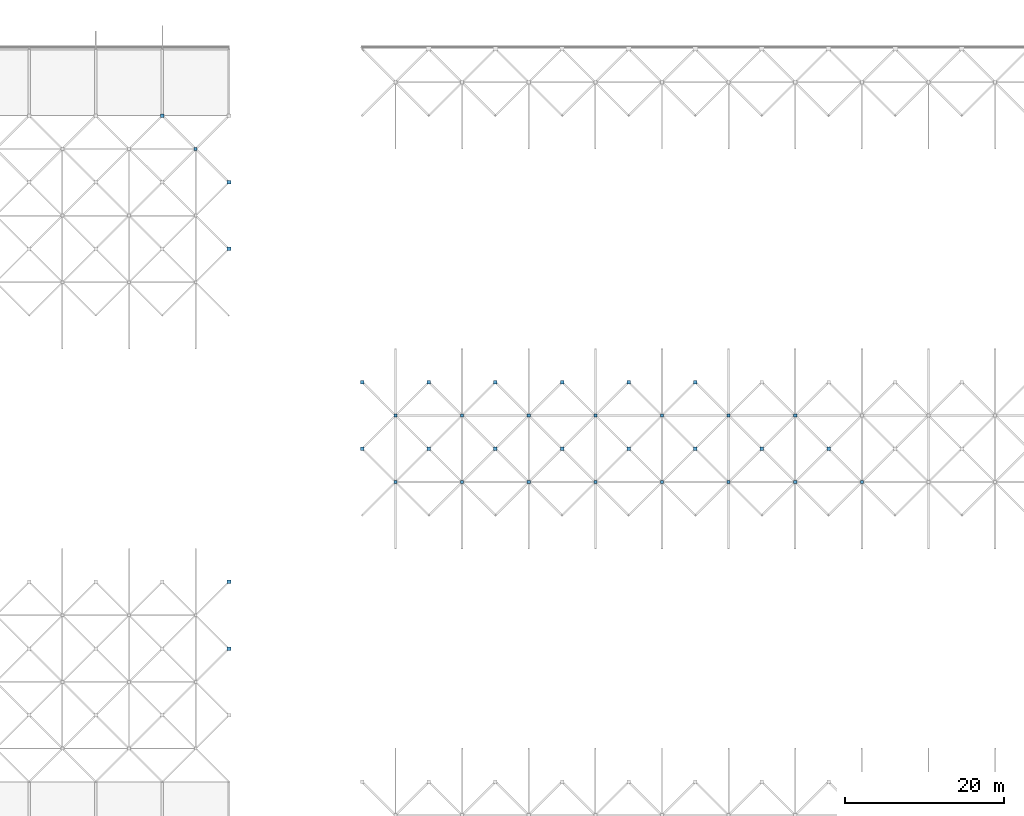
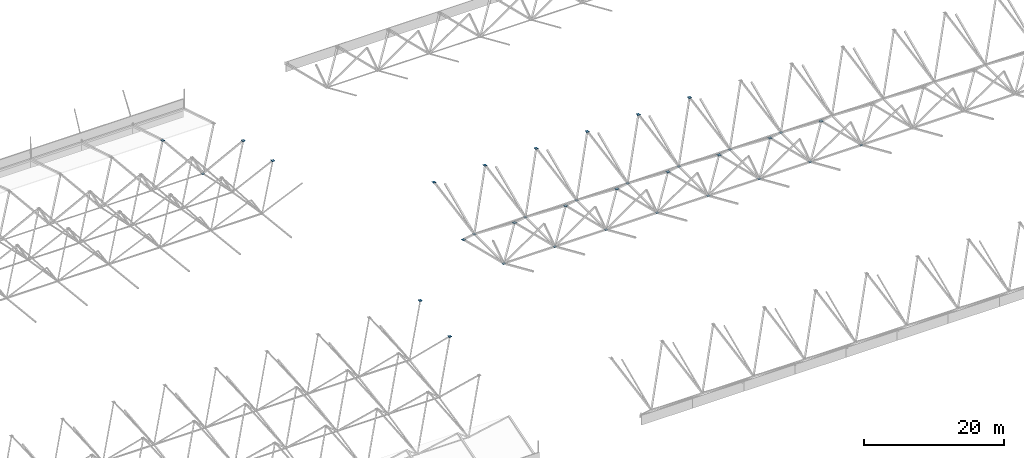
# One storey, part 66 of 85: 35 discrete accessories.
"""IFC4 building model written with IfcOpenShell, lengths in metres."""

from ifc_helpers import new_model, si_unit, direction, frame, origin, origin_2d, place, context, subcontext, project, spatial, rectangle, extrude, material, layer, layer_set, type_object, element, save


model = new_model("IFC4")

# Units and contexts
model_context = context("Model", 3, precision=1e-05, world=origin(), true_north=direction((0.0, 1.0)))
body_context = subcontext(model_context, "Body", "Model", "MODEL_VIEW")
ifc_project = project(units=[si_unit("LENGTHUNIT", "METRE"), si_unit("AREAUNIT", "SQUARE_METRE"), si_unit("VOLUMEUNIT", "CUBIC_METRE"), si_unit("PLANEANGLEUNIT", "RADIAN"), si_unit("MASSUNIT", "GRAM", prefix="KILO")], contexts=[model_context])

# Site, building, storey
site_placement = place(None, origin())
site = spatial("IfcSite", under=ifc_project, at=site_placement, CompositionType="ELEMENT")
building_placement = place(site_placement, origin())
building = spatial("IfcBuilding", under=site, at=building_placement, Name="Rain Tree Exposition and Congress Centre", CompositionType="ELEMENT")
storey_placement = place(building_placement, frame((0.0, 0.0, 15.0)))
storey = spatial("IfcBuildingStorey", under=building, at=storey_placement, Name="L03", CompositionType="ELEMENT", Elevation=15.0)

# Discrete accessories
ifc_material_1 = material(Name="Steel plate S355J2", Category="steel")
ifc_layer_1 = layer(ifc_material_1, 0.02001953125)
ifc_layer_set_1 = layer_set([ifc_layer_1], Name="Steel plate S355J2")
discrete_accessory_type_1 = type_object("IfcDiscreteAccessoryType", Name="Brace node plate 400x400x20", PredefinedType="BRACKET", material=ifc_layer_set_1)
for number, where, z_axis, x_axis, name in (
    (1, (121.800048828125, 189.0, 0.72265625), (0.0, 0.0, 1.0), (1.0, 0.0, 0.0), "Brace node plate 400"),
    (2, (147.0, 147.0, 1.762939453125), (0.0, 0.0, 1.0), (1.0, 0.0, 0.0), "Brace node plate 400"),
    (3, (155.39990234375, 147.0, 1.762939453125), (0.0, 0.0, 1.0), (1.0, 0.0, 0.0), "Brace node plate 400"),
    (4, (163.800048828125, 147.0, 1.762939453125), (0.0, 0.0, 1.0), (1.0, 0.0, 0.0), "Brace node plate 400"),
    (5, (172.199951171875, 147.0, 1.762939453125), (0.0, 0.0, 1.0), (1.0, 0.0, 0.0), "Brace node plate 400"),
    (6, (180.60009765625, 147.0, 1.762939453125), (0.0, 0.0, 1.0), (1.0, 0.0, 0.0), "Brace node plate 400"),
    (7, (189.0, 147.0, 1.762939453125), (0.0, 0.0, 1.0), (1.0, 0.0, 0.0), "Brace node plate 400"),
    (8, (197.39990234375, 147.0, 1.762939453125), (0.0, 0.0, 1.0), (1.0, 0.0, 0.0), "Brace node plate 400"),
    (9, (205.800048828125, 147.0, 1.762939453125), (0.0, 0.0, 1.0), (1.0, 0.0, 0.0), "Brace node plate 400"),
    (10, (147.0, 155.39990234375, 1.762939453125), (0.0, 0.0, 1.0), (1.0, 0.0, 0.0), "Brace node plate 400"),
    (11, (155.39990234375, 155.39990234375, 1.762939453125), (0.0, 0.0, 1.0), (1.0, 0.0, 0.0), "Brace node plate 400"),
    (12, (163.800048828125, 155.39990234375, 1.762939453125), (0.0, 0.0, 1.0), (1.0, 0.0, 0.0), "Brace node plate 400"),
    (13, (172.199951171875, 155.39990234375, 1.762939453125), (0.0, 0.0, 1.0), (1.0, 0.0, 0.0), "Brace node plate 400"),
    (14, (180.60009765625, 155.39990234375, 1.762939453125), (0.0, 0.0, 1.0), (1.0, 0.0, 0.0), "Brace node plate 400"),
    (15, (189.0, 155.39990234375, 1.762939453125), (0.0, 0.0, 1.0), (1.0, 0.0, 0.0), "Brace node plate 400"),
    (16, (197.39990234375, 155.39990234375, 1.762939453125), (0.0, 0.0, 1.0), (1.0, 0.0, 0.0), "Brace node plate 400"),
):
    element("IfcDiscreteAccessory", number, at=place(storey_placement, frame(where, z_axis=z_axis, x_axis=x_axis)), inside=storey, type_object=discrete_accessory_type_1, Name=name, PredefinedType="BRACKET", context=body_context, shape_type="SweptSolid", body=[
        extrude(rectangle(XDim=0.39990234375, YDim=0.39990234375, at=origin_2d()), origin(), (0.0, 0.0, 1.0), 0.02001953125),
    ])
ifc_material_2 = material(Name="Steel plate S355J2", Category="steel")
ifc_layer_2 = layer(ifc_material_2, 0.02001953125)
ifc_layer_set_2 = layer_set([ifc_layer_2], Name="Steel plate S355J2")
discrete_accessory_type_2 = type_object("IfcDiscreteAccessoryType", Name="Brace node plate 450x450x20", PredefinedType="BRACKET", material=ifc_layer_set_2)
for number, where, z_axis, x_axis, name in (
    (17, (126.0, 126.0, 9.18310546875), (0.0, 0.0, 1.0), (1.0, 0.0, 0.0), "Brace node plate 450"),
    (18, (126.0, 134.39990234375, 10.3291015625), (0.0, 0.0, 1.0), (1.0, 0.0, 0.0), "Brace node plate 450"),
    (19, (126.0, 176.39990234375, 9.18310546875), (0.0, 0.0, 1.0), (1.0, 0.0, 0.0), "Brace node plate 450"),
    (20, (126.0, 184.800048828125, 7.564208984375), (0.0, 0.0, 1.0), (1.0, 0.0, 0.0), "Brace node plate 450"),
    (21, (117.60009765625, 193.199951171875, 5.456787109375), (0.0, 0.0, 1.0), (1.0, 0.0, 0.0), "Brace node plate 450"),
    (22, (142.800048828125, 151.199951171875, 4.840087890625), (0.0, 0.0, 1.0), (1.0, 0.0, 0.0), "Brace node plate 450"),
    (23, (151.199951171875, 151.199951171875, 4.840087890625), (0.0, 0.0, 1.0), (1.0, 0.0, 0.0), "Brace node plate 450"),
    (24, (159.60009765625, 151.199951171875, 4.840087890625), (0.0, 0.0, 1.0), (1.0, 0.0, 0.0), "Brace node plate 450"),
    (25, (168.0, 151.199951171875, 4.840087890625), (0.0, 0.0, 1.0), (1.0, 0.0, 0.0), "Brace node plate 450"),
    (26, (176.39990234375, 151.199951171875, 4.840087890625), (0.0, 0.0, 1.0), (1.0, 0.0, 0.0), "Brace node plate 450"),
    (27, (184.800048828125, 151.199951171875, 4.840087890625), (0.0, 0.0, 1.0), (1.0, 0.0, 0.0), "Brace node plate 450"),
    (28, (193.199951171875, 151.199951171875, 4.840087890625), (0.0, 0.0, 1.0), (1.0, 0.0, 0.0), "Brace node plate 450"),
    (29, (201.60009765625, 151.199951171875, 4.840087890625), (0.0, 0.0, 1.0), (1.0, 0.0, 0.0), "Brace node plate 450"),
    (30, (142.800048828125, 159.60009765625, 9.73388671875), (0.0, 0.0, 1.0), (1.0, 0.0, 0.0), "Brace node plate 450"),
    (31, (151.199951171875, 159.60009765625, 9.73388671875), (0.0, 0.0, 1.0), (1.0, 0.0, 0.0), "Brace node plate 450"),
    (32, (159.60009765625, 159.60009765625, 9.73388671875), (0.0, 0.0, 1.0), (1.0, 0.0, 0.0), "Brace node plate 450"),
    (33, (168.0, 159.60009765625, 9.73388671875), (0.0, 0.0, 1.0), (1.0, 0.0, 0.0), "Brace node plate 450"),
    (34, (176.39990234375, 159.60009765625, 9.73388671875), (0.0, 0.0, 1.0), (1.0, 0.0, 0.0), "Brace node plate 450"),
    (35, (184.800048828125, 159.60009765625, 9.73388671875), (0.0, 0.0, 1.0), (1.0, 0.0, 0.0), "Brace node plate 450"),
):
    element("IfcDiscreteAccessory", number, at=place(storey_placement, frame(where, z_axis=z_axis, x_axis=x_axis)), inside=storey, type_object=discrete_accessory_type_2, Name=name, PredefinedType="BRACKET", context=body_context, shape_type="SweptSolid", body=[
        extrude(rectangle(XDim=0.449951171875, YDim=0.449951171875, at=origin_2d()), origin(), (0.0, 0.0, 1.0), 0.02001953125),
    ])

save(model, "model.ifc")
